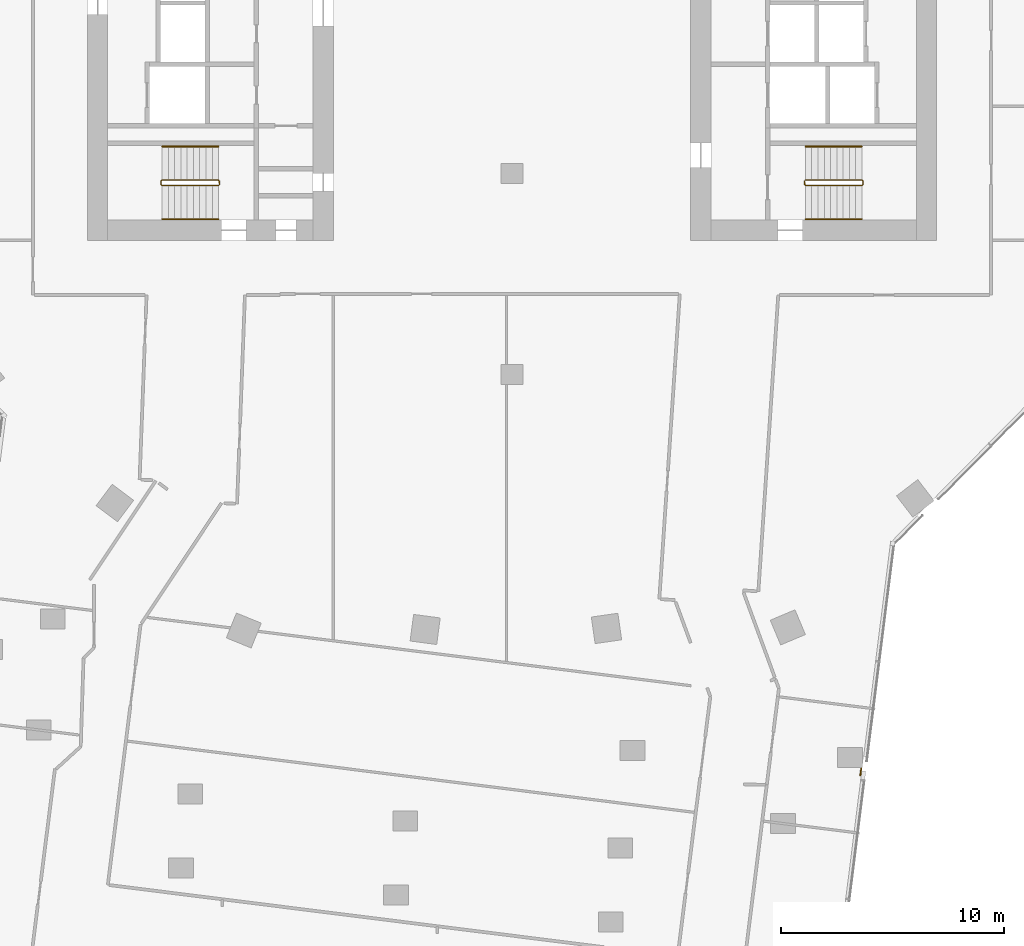
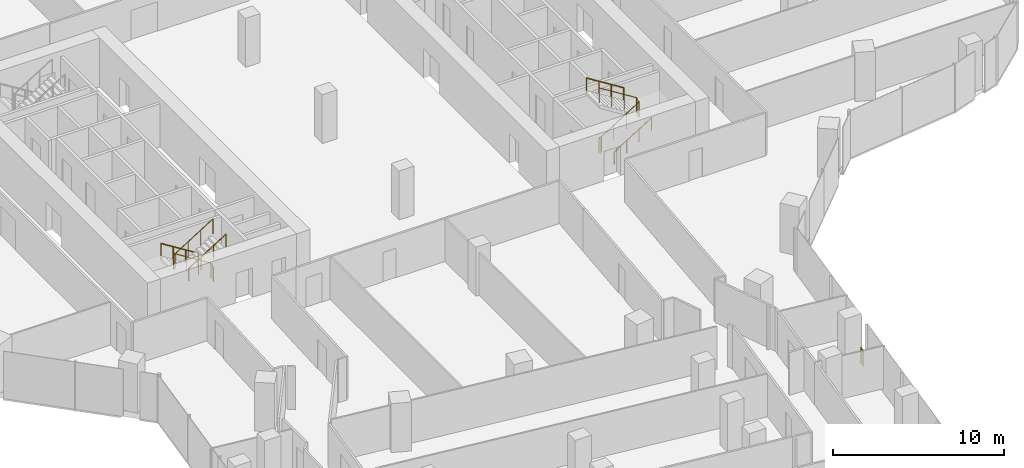
# One storey, part 25 of 27: 7 railings.
"""IFC4 building model written with IfcOpenShell, lengths in metres."""

from ifc_helpers import new_model, si_unit, direction, frame, origin, origin_2d, place, context, subcontext, project, spatial, circle, extrude, material, type_object, element, save


model = new_model("IFC4")

# Units and contexts
model_context = context("Model", 3, precision=1e-05, world=origin(), true_north=direction((0.0, 1.0)))
body_context = subcontext(model_context, "Body", "Model", "MODEL_VIEW")
ifc_project = project(units=[si_unit("LENGTHUNIT", "METRE"), si_unit("AREAUNIT", "SQUARE_METRE"), si_unit("VOLUMEUNIT", "CUBIC_METRE"), si_unit("PLANEANGLEUNIT", "RADIAN"), si_unit("MASSUNIT", "GRAM", prefix="KILO")], contexts=[model_context])

# Site, building, storey
site_placement = place(None, origin())
site = spatial("IfcSite", under=ifc_project, at=site_placement, CompositionType="ELEMENT")
building_placement = place(site_placement, origin())
building = spatial("IfcBuilding", under=site, at=building_placement, Name="Orlundy Tower", CompositionType="ELEMENT")
storey_placement = place(building_placement, frame((0.0, 0.0, 192.10009765625)))
storey = spatial("IfcBuildingStorey", under=building, at=storey_placement, Name="L50", CompositionType="ELEMENT", Elevation=192.10009765625)

# Railings
ifc_material_1 = material(Name="Steel balustrade", Category="steel")
railing_type_1 = type_object("IfcRailingType", Name="Stair Guard 1100", PredefinedType="GUARDRAIL", material=ifc_material_1)
railing_1_placement = place(storey_placement, frame((-13.090087890625, -9.35009765625, 0.0)))
element("IfcRailing", 1, at=railing_1_placement, inside=storey, type_object=railing_type_1, Name="L50 ST-W2 stair guard 1", PredefinedType="GUARDRAIL", context=body_context, shape_type="SweptSolid", body=[
    extrude(circle(Radius=0.02392578125, at=origin_2d()), frame((0.0, 0.0, 1.076171875), z_axis=(0.0, -1.0, 0.0), x_axis=(1.0, 0.0, 0.0)), (0.0, 0.0, 1.0), 0.14990234375),
    extrude(circle(Radius=0.02392578125, at=origin_2d()), frame((0.0, -0.14990234375, 1.076171875), z_axis=(-0.184313129624, 0.739963005698, 0.646902945152), x_axis=(-0.970351222016, -0.241699205484, 0.0)), (0.0, 0.0, 1.0), 0.270263671875),
    extrude(circle(Radius=0.02392578125, at=origin_2d()), frame((-0.0498046875, 0.050048828125, 1.2509765625), z_axis=(-0.847970611238, 0.0, 0.530043245855), x_axis=(0.0, -1.0, 0.0)), (0.0, 0.0, 1.0), 2.971923828125),
    extrude(circle(Radius=0.02392578125, at=origin_2d()), frame((-2.56982421875, 0.050048828125, 2.826171875), z_axis=(-0.707106781187, -0.707106781187, 0.0), x_axis=(0.707106781187, -0.707106781187, 0.0)), (0.0, 0.0, 1.0), 0.07080078125),
    extrude(circle(Radius=0.02392578125, at=origin_2d()), frame((-2.619873046875, 0.0, 2.826171875), z_axis=(0.0, -1.0, 0.0), x_axis=(1.0, 0.0, 0.0)), (0.0, 0.0, 1.0), 0.14990234375),
    extrude(circle(Radius=0.02392578125, at=origin_2d()), frame((-2.619873046875, -0.14990234375, 2.826171875), z_axis=(0.265383341853, -0.265383341853, 0.926899867156), x_axis=(0.707106781187, 0.707106781187, 0.0)), (0.0, 0.0, 1.0), 0.1884765625),
    extrude(circle(Radius=0.02392578125, at=origin_2d()), frame((-2.56982421875, -0.199951171875, 3.0009765625), z_axis=(0.847970611238, 0.0, 0.530043245855), x_axis=(0.0, 1.0, 0.0)), (0.0, 0.0, 1.0), 2.971923828125),
    extrude(circle(Radius=0.02099609375, at=origin_2d()), origin(), (0.0, 0.0, 1.0), 1.052001953125),
    extrude(circle(Radius=0.02099609375, at=origin_2d()), frame((0.0, -0.14990234375, 0.0)), (0.0, 0.0, 1.0), 1.052001953125),
    extrude(circle(Radius=0.02099609375, at=origin_2d()), frame((-0.0498046875, 0.050048828125, 0.1748046875)), (0.0, 0.0, 1.0), 1.052001953125),
    extrude(circle(Radius=0.02099609375, at=origin_2d()), frame((-0.889892578125, 0.050048828125, 0.699951171875)), (0.0, 0.0, 1.0), 1.052001953125),
    extrude(circle(Radius=0.02099609375, at=origin_2d()), frame((-1.729736328125, 0.050048828125, 1.224853515625)), (0.0, 0.0, 1.0), 1.052001953125),
    extrude(circle(Radius=0.02099609375, at=origin_2d()), frame((-2.56982421875, 0.050048828125, 1.75)), (0.0, 0.0, 1.0), 1.052001953125),
    extrude(circle(Radius=0.02099609375, at=origin_2d()), frame((-2.619873046875, 0.0, 1.75)), (0.0, 0.0, 1.0), 1.052001953125),
    extrude(circle(Radius=0.02099609375, at=origin_2d()), frame((-2.619873046875, -0.14990234375, 1.75)), (0.0, 0.0, 1.0), 1.052001953125),
    extrude(circle(Radius=0.02099609375, at=origin_2d()), frame((-2.56982421875, -0.199951171875, 1.9248046875)), (0.0, 0.0, 1.0), 1.052001953125),
    extrude(circle(Radius=0.02099609375, at=origin_2d()), frame((-1.729736328125, -0.199951171875, 2.449951171875)), (0.0, 0.0, 1.0), 1.052001953125),
    extrude(circle(Radius=0.02099609375, at=origin_2d()), frame((-0.889892578125, -0.199951171875, 2.974853515625)), (0.0, 0.0, 1.0), 1.052001953125),
    extrude(circle(Radius=0.02099609375, at=origin_2d()), frame((-0.0498046875, -0.199951171875, 3.5)), (0.0, 0.0, 1.0), 1.052001953125),
])
railing_2_placement = place(storey_placement, frame((13.090087890625, -9.5, 0.0)))
element("IfcRailing", 2, at=railing_2_placement, inside=storey, type_object=railing_type_1, Name="L50 ST-E1 stair guard 1", PredefinedType="GUARDRAIL", context=body_context, shape_type="SweptSolid", body=[
    extrude(circle(Radius=0.02392578125, at=origin_2d()), frame((0.0, 0.0, 1.076171875), z_axis=(0.0, 1.0, 0.0), x_axis=(-1.0, 0.0, 0.0)), (0.0, 0.0, 1.0), 0.14990234375),
    extrude(circle(Radius=0.02392578125, at=origin_2d()), frame((0.0, 0.14990234375, 1.076171875), z_axis=(0.184313129624, -0.739963005698, 0.646902945152), x_axis=(0.970351222016, 0.241699205484, 0.0)), (0.0, 0.0, 1.0), 0.270263671875),
    extrude(circle(Radius=0.02392578125, at=origin_2d()), frame((0.0498046875, -0.050048828125, 1.2509765625), z_axis=(0.847970611238, 0.0, 0.530043245855), x_axis=(0.0, 1.0, 0.0)), (0.0, 0.0, 1.0), 2.971923828125),
    extrude(circle(Radius=0.02392578125, at=origin_2d()), frame((2.56982421875, -0.050048828125, 2.826171875), z_axis=(0.707106781187, 0.707106781187, 0.0), x_axis=(-0.707106781187, 0.707106781187, 0.0)), (0.0, 0.0, 1.0), 0.07080078125),
    extrude(circle(Radius=0.02392578125, at=origin_2d()), frame((2.619873046875, 0.0, 2.826171875), z_axis=(0.0, 1.0, 0.0), x_axis=(-1.0, 0.0, 0.0)), (0.0, 0.0, 1.0), 0.14990234375),
    extrude(circle(Radius=0.02392578125, at=origin_2d()), frame((2.619873046875, 0.14990234375, 2.826171875), z_axis=(-0.265383341853, 0.265383341853, 0.926899867156), x_axis=(-0.707106781187, -0.707106781187, 0.0)), (0.0, 0.0, 1.0), 0.1884765625),
    extrude(circle(Radius=0.02392578125, at=origin_2d()), frame((2.56982421875, 0.199951171875, 3.0009765625), z_axis=(-0.847970611238, 0.0, 0.530043245855), x_axis=(0.0, -1.0, 0.0)), (0.0, 0.0, 1.0), 2.971923828125),
    extrude(circle(Radius=0.02099609375, at=origin_2d()), origin(), (0.0, 0.0, 1.0), 1.052001953125),
    extrude(circle(Radius=0.02099609375, at=origin_2d()), frame((0.0, 0.14990234375, 0.0)), (0.0, 0.0, 1.0), 1.052001953125),
    extrude(circle(Radius=0.02099609375, at=origin_2d()), frame((0.0498046875, -0.050048828125, 0.1748046875)), (0.0, 0.0, 1.0), 1.052001953125),
    extrude(circle(Radius=0.02099609375, at=origin_2d()), frame((0.889892578125, -0.050048828125, 0.699951171875)), (0.0, 0.0, 1.0), 1.052001953125),
    extrude(circle(Radius=0.02099609375, at=origin_2d()), frame((1.729736328125, -0.050048828125, 1.224853515625)), (0.0, 0.0, 1.0), 1.052001953125),
    extrude(circle(Radius=0.02099609375, at=origin_2d()), frame((2.56982421875, -0.050048828125, 1.75)), (0.0, 0.0, 1.0), 1.052001953125),
    extrude(circle(Radius=0.02099609375, at=origin_2d()), frame((2.619873046875, 0.0, 1.75)), (0.0, 0.0, 1.0), 1.052001953125),
    extrude(circle(Radius=0.02099609375, at=origin_2d()), frame((2.619873046875, 0.14990234375, 1.75)), (0.0, 0.0, 1.0), 1.052001953125),
    extrude(circle(Radius=0.02099609375, at=origin_2d()), frame((2.56982421875, 0.199951171875, 1.9248046875)), (0.0, 0.0, 1.0), 1.052001953125),
    extrude(circle(Radius=0.02099609375, at=origin_2d()), frame((1.729736328125, 0.199951171875, 2.449951171875)), (0.0, 0.0, 1.0), 1.052001953125),
    extrude(circle(Radius=0.02099609375, at=origin_2d()), frame((0.889892578125, 0.199951171875, 2.974853515625)), (0.0, 0.0, 1.0), 1.052001953125),
    extrude(circle(Radius=0.02099609375, at=origin_2d()), frame((0.0498046875, 0.199951171875, 3.5)), (0.0, 0.0, 1.0), 1.052001953125),
])
ifc_material_2 = material(Name="Steel handrail", Category="steel")
railing_type_2 = type_object("IfcRailingType", Name="Stair Handrail 900", PredefinedType="HANDRAIL", material=ifc_material_2)
railing_3_placement = place(storey_placement, frame((-13.139892578125, -7.800048828125, 0.1748046875)))
element("IfcRailing", 3, at=railing_3_placement, inside=storey, type_object=railing_type_2, Name="L50 ST-W2 stair handrail 1", PredefinedType="HANDRAIL", context=body_context, shape_type="SweptSolid", body=[
    extrude(circle(Radius=0.02392578125, at=origin_2d()), frame((0.0, 0.0, 0.8759765625), z_axis=(-0.847970611238, 0.0, 0.530043245855), x_axis=(0.0, -1.0, 0.0)), (0.0, 0.0, 1.0), 2.971923828125),
    extrude(circle(Radius=0.02099609375, at=origin_2d()), origin(), (0.0, 0.0, 1.0), 0.851806640625),
    extrude(circle(Radius=0.02099609375, at=origin_2d()), frame((-0.840087890625, 0.0, 0.525146484375)), (0.0, 0.0, 1.0), 0.851806640625),
    extrude(circle(Radius=0.02099609375, at=origin_2d()), frame((-1.679931640625, 0.0, 1.050048828125)), (0.0, 0.0, 1.0), 0.851806640625),
    extrude(circle(Radius=0.02099609375, at=origin_2d()), frame((-2.52001953125, 0.0, 1.5751953125)), (0.0, 0.0, 1.0), 0.851806640625),
])
for number, where, name in (
    (4, (-15.659912109375, -11.050048828125, 1.9248046875), "L50 ST-W2 stair handrail 2"),
    (5, (13.139892578125, -11.050048828125, 0.1748046875), "L50 ST-E1 stair handrail 1"),
):
    element("IfcRailing", number, at=place(storey_placement, frame(where)), inside=storey, type_object=railing_type_2, Name=name, PredefinedType="HANDRAIL", context=body_context, shape_type="SweptSolid", body=[
        extrude(circle(Radius=0.02392578125, at=origin_2d()), frame((0.0, 0.0, 0.8759765625), z_axis=(0.847970611238, 0.0, 0.530043245855), x_axis=(0.0, 1.0, 0.0)), (0.0, 0.0, 1.0), 2.971923828125),
        extrude(circle(Radius=0.02099609375, at=origin_2d()), origin(), (0.0, 0.0, 1.0), 0.851806640625),
        extrude(circle(Radius=0.02099609375, at=origin_2d()), frame((0.840087890625, 0.0, 0.525146484375)), (0.0, 0.0, 1.0), 0.851806640625),
        extrude(circle(Radius=0.02099609375, at=origin_2d()), frame((1.679931640625, 0.0, 1.050048828125)), (0.0, 0.0, 1.0), 0.851806640625),
        extrude(circle(Radius=0.02099609375, at=origin_2d()), frame((2.52001953125, 0.0, 1.5751953125)), (0.0, 0.0, 1.0), 0.851806640625),
    ])
railing_4_placement = place(storey_placement, frame((15.659912109375, -7.800048828125, 1.9248046875)))
element("IfcRailing", 6, at=railing_4_placement, inside=storey, type_object=railing_type_2, Name="L50 ST-E1 stair handrail 2", PredefinedType="HANDRAIL", context=body_context, shape_type="SweptSolid", body=[
    extrude(circle(Radius=0.02392578125, at=origin_2d()), frame((0.0, 0.0, 0.8759765625), z_axis=(-0.847970611238, 0.0, 0.530043245855), x_axis=(0.0, -1.0, 0.0)), (0.0, 0.0, 1.0), 2.971923828125),
    extrude(circle(Radius=0.02099609375, at=origin_2d()), origin(), (0.0, 0.0, 1.0), 0.851806640625),
    extrude(circle(Radius=0.02099609375, at=origin_2d()), frame((-0.840087890625, 0.0, 0.525146484375)), (0.0, 0.0, 1.0), 0.851806640625),
    extrude(circle(Radius=0.02099609375, at=origin_2d()), frame((-1.679931640625, 0.0, 1.050048828125)), (0.0, 0.0, 1.0), 0.851806640625),
    extrude(circle(Radius=0.02099609375, at=origin_2d()), frame((-2.52001953125, 0.0, 1.5751953125)), (0.0, 0.0, 1.0), 0.851806640625),
])
ifc_material_3 = material(Name="Stainless steel bronze finish", Category="steel")
railing_type_3 = type_object("IfcRailingType", Name="TG1 terrace guard", PredefinedType="GUARDRAIL", material=ifc_material_3)
railing_5_placement = place(storey_placement, frame((15.635498046875, -35.64208984375, 0.0)))
element("IfcRailing", 7, at=railing_5_placement, inside=storey, type_object=railing_type_3, Name="Guard TG-L50-E00", PredefinedType="GUARDRAIL", context=body_context, shape_type="SweptSolid", body=[
    extrude(circle(Radius=0.02490234375, at=origin_2d()), frame((0.0, 0.0, 1.09521484375), z_axis=(-0.124888627995, -0.992170766853, 0.0), x_axis=(0.992170766853, -0.124888627995, 0.0)), (0.0, 0.0, 1.0), 0.316650390625),
    extrude(circle(Radius=0.02001953125, at=origin_2d()), origin(), (0.0, 0.0, 1.0), 1.070068359375),
    extrude(circle(Radius=0.02001953125, at=origin_2d()), frame((-0.03955078125, -0.314208984375, 0.0)), (0.0, 0.0, 1.0), 1.070068359375),
])

save(model, "model.ifc")
